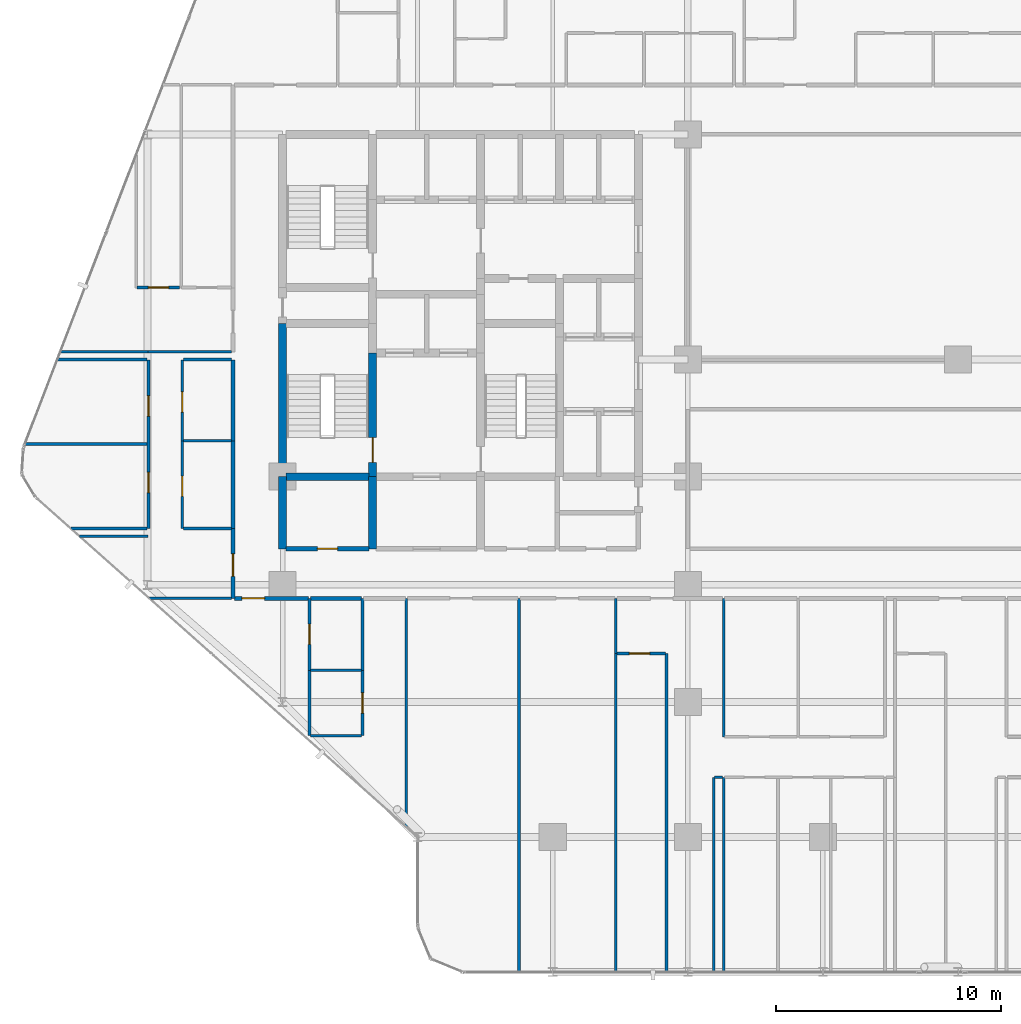
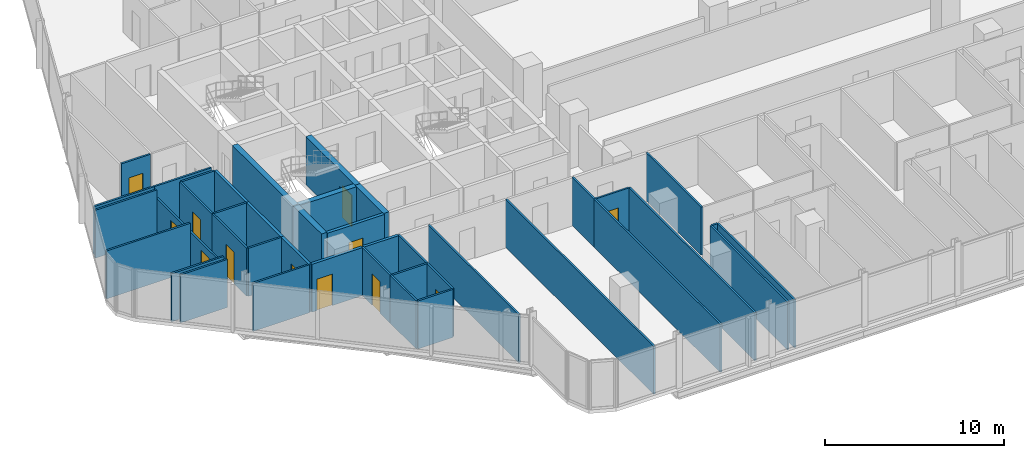
# One storey, part 26 of 34: 41 walls, 12 doors, 12 openings.
"""IFC4 building model written with IfcOpenShell, lengths in metres."""

from ifc_helpers import new_model, si_unit, direction, frame, frame_2d, origin, place, context, subcontext, project, spatial, rectangle, extrude, material, layer, layer_set, type_object, element, fill, save


model = new_model("IFC4")

# Units and contexts
model_context = context("Model", 3, precision=1e-05, world=origin(), true_north=direction((0.0, 1.0)))
body_context = subcontext(model_context, "Body", "Model", "MODEL_VIEW")
ifc_project = project(units=[si_unit("LENGTHUNIT", "METRE"), si_unit("AREAUNIT", "SQUARE_METRE"), si_unit("VOLUMEUNIT", "CUBIC_METRE"), si_unit("PLANEANGLEUNIT", "RADIAN"), si_unit("MASSUNIT", "GRAM", prefix="KILO")], contexts=[model_context])

# Site, building, storey
site_placement = place(None, origin())
site = spatial("IfcSite", under=ifc_project, at=site_placement, CompositionType="ELEMENT")
building_placement = place(site_placement, origin())
building = spatial("IfcBuilding", under=site, at=building_placement, Name="Keshet Zoharim Tower", CompositionType="ELEMENT")
storey_placement = place(building_placement, frame((0.0, 0.0, 77.5)))
storey = spatial("IfcBuildingStorey", under=building, at=storey_placement, Name="L18", CompositionType="ELEMENT", Elevation=77.5)

# Walls
ifc_material_1 = material(Name="Concrete C60/75", Category="concrete")
ifc_layer_1 = layer(ifc_material_1, 0.35009765625)
ifc_layer_set_1 = layer_set([ifc_layer_1], Name="Concrete C60/75")
wall_type_1 = type_object("IfcWallType", Name="WL-CORE-350", PredefinedType="SHEAR", material=ifc_layer_set_1)
wall_1_placement = place(storey_placement, frame((15.0, 19.5, 0.0), z_axis=(0.0, 0.0, 1.0), x_axis=(0.0, 1.0, 0.0)))
element("IfcWall", 1, at=wall_1_placement, inside=storey, type_object=wall_type_1, Name="L18 Core Shear Wall 011", PredefinedType="SHEAR", context=body_context, shape_type="SweptSolid", body=[
    extrude(rectangle(XDim=3.199951171875, YDim=0.35009765625, at=frame_2d((1.60009765625, 0.0))), origin(), (0.0, 0.0, 1.0), 3.280029296875),
])
wall_2_placement = place(storey_placement, frame((15.0, 22.699951171875, 0.0), z_axis=(0.0, 0.0, 1.0), x_axis=(0.0, 1.0, 0.0)))
element("IfcWall", 2, at=wall_2_placement, inside=storey, type_object=wall_type_1, Name="L18 Core Shear Wall 012", PredefinedType="SHEAR", context=body_context, shape_type="SweptSolid", body=[
    extrude(rectangle(XDim=6.800048828125, YDim=0.35009765625, at=frame_2d((3.39990234375, 0.0))), origin(), (0.0, 0.0, 1.0), 3.280029296875),
])
wall_3_placement = place(storey_placement, frame((19.0, 19.5, 0.0), z_axis=(0.0, 0.0, 1.0), x_axis=(0.0, 1.0, 0.0)))
element("IfcWall", 3, at=wall_3_placement, inside=storey, type_object=wall_type_1, Name="L18 Core Shear Wall 021", PredefinedType="SHEAR", context=body_context, shape_type="SweptSolid", body=[
    extrude(rectangle(XDim=3.199951171875, YDim=0.35009765625, at=frame_2d((1.60009765625, 0.0))), origin(), (0.0, 0.0, 1.0), 3.280029296875),
])

# Wall, opening, door
wall_4_placement = place(storey_placement, frame((19.0, 22.699951171875, 0.0), z_axis=(0.0, 0.0, 1.0), x_axis=(0.0, 1.0, 0.0)))
wall_4 = element("IfcWall", 4, at=wall_4_placement, inside=storey, type_object=wall_type_1, Name="L18 Core Shear Wall 022", PredefinedType="SHEAR", context=body_context, shape_type="SweptSolid", body=[
    extrude(rectangle(XDim=5.5, YDim=0.35009765625, at=frame_2d((2.75, 0.0))), origin(), (0.0, 0.0, 1.0), 3.280029296875),
])
opening_1_placement = place(wall_4_placement, frame((0.631103515625, 0.0, 0.0)))
opening_1 = element("IfcOpeningElement", 5, at=opening_1_placement, cuts=wall_4, Name="Opening D-F611", PredefinedType="OPENING", context=body_context, shape_type="SweptSolid", body=[
    extrude(rectangle(XDim=1.10009765625, YDim=2.14990234375, at=frame_2d((0.550048828125, 1.074951171875))), frame((0.0, 0.18505859375, 0.0), z_axis=(0.0, -1.0, 0.0), x_axis=(1.0, 0.0, 0.0)), (0.0, 0.0, 1.0), 0.3701171875),
])
ifc_material_2 = material(Name="Hardwood Timber", Category="wood")
door_type_1 = type_object("IfcDoorType", Name="DR-FD60-110", OperationType="NOTDEFINED", PredefinedType="DOOR", material=ifc_material_2)
door_1_placement = place(opening_1_placement, origin())
door_1 = element("IfcDoor", 6, at=door_1_placement, inside=storey, type_object=door_type_1, Name="L18 Exit Stair ST-01 Fire Door", OperationType="SINGLE_SWING_RIGHT", OverallHeight=2.14990234375, OverallWidth=1.10009765625, PredefinedType="DOOR", context=body_context, shape_type="SweptSolid", body=[
    extrude(rectangle(XDim=1.10009765625, YDim=2.14990234375, at=frame_2d((0.550048828125, 1.074951171875))), frame((0.0, 0.02490234375, 0.0), z_axis=(0.0, -1.0, 0.0), x_axis=(1.0, 0.0, 0.0)), (0.0, 0.0, 1.0), 0.050048828125),
])
fill(opening_1, door_1)

# Wall
wall_5_placement = place(storey_placement, frame((15.159912109375, 22.699951171875, 0.0), z_axis=(0.0, 0.0, 1.0), x_axis=(1.0, 0.0, 0.0)))
element("IfcWall", 7, at=wall_5_placement, inside=storey, type_object=wall_type_1, Name="L18 Core Shear Wall 172", PredefinedType="SHEAR", context=body_context, shape_type="SweptSolid", body=[
    extrude(rectangle(XDim=3.68017578125, YDim=0.35009765625, at=frame_2d((1.840087890625, 0.0))), origin(), (0.0, 0.0, 1.0), 3.280029296875),
])

# Wall, opening, door
ifc_material_3 = material(Name="Gypsum Plasterboard", Category="gypsum")
ifc_layer_2 = layer(ifc_material_3, 0.179931640625)
ifc_layer_set_2 = layer_set([ifc_layer_2], Name="Gypsum Plasterboard")
wall_type_2 = type_object("IfcWallType", Name="WL-CORR-180", PredefinedType="STANDARD", material=ifc_layer_set_2)
wall_6_placement = place(storey_placement, frame((12.800048828125, 17.300048828125, 0.0), z_axis=(0.0, 0.0, 1.0), x_axis=(0.0, 1.0, 0.0)))
wall_6 = element("IfcWall", 8, at=wall_6_placement, inside=storey, type_object=wall_type_2, Name="L18 Interior Wall 006", PredefinedType="STANDARD", context=body_context, shape_type="SweptSolid", body=[
    extrude(rectangle(XDim=3.099853515625, YDim=0.179931640625, at=frame_2d((1.5498046875, 0.0))), origin(), (0.0, 0.0, 1.0), 3.280029296875),
])
opening_2_placement = place(wall_6_placement, frame((0.97802734375, 0.0, 0.0)))
opening_2 = element("IfcOpeningElement", 9, at=opening_2_placement, cuts=wall_6, Name="Opening D-F310", PredefinedType="OPENING", context=body_context, shape_type="SweptSolid", body=[
    extrude(rectangle(XDim=1.0, YDim=2.14990234375, at=frame_2d((0.5, 1.074951171875))), frame((0.0, 0.10009765625, 0.0), z_axis=(0.0, -1.0, 0.0), x_axis=(1.0, 0.0, 0.0)), (0.0, 0.0, 1.0), 0.199951171875),
])
door_type_2 = type_object("IfcDoorType", Name="DR-FD30-100", OperationType="NOTDEFINED", PredefinedType="DOOR", material=ifc_material_2)
door_2_placement = place(opening_2_placement, origin())
door_2 = element("IfcDoor", 10, at=door_2_placement, inside=storey, type_object=door_type_2, Name="Apartment 1809 Entrance Door", OperationType="SINGLE_SWING_RIGHT", OverallHeight=2.14990234375, OverallWidth=1.0, PredefinedType="DOOR", context=body_context, shape_type="SweptSolid", body=[
    extrude(rectangle(XDim=1.0, YDim=2.14990234375, at=frame_2d((0.5, 1.074951171875))), frame((0.0, 0.02490234375, 0.0), z_axis=(0.0, -1.0, 0.0), x_axis=(1.0, 0.0, 0.0)), (0.0, 0.0, 1.0), 0.050048828125),
])
fill(opening_2, door_2)

# Walls
wall_7_placement = place(storey_placement, frame((12.800048828125, 20.39990234375, 0.0), z_axis=(0.0, 0.0, 1.0), x_axis=(0.0, 1.0, 0.0)))
element("IfcWall", 11, at=wall_7_placement, inside=storey, type_object=wall_type_2, Name="L18 Interior Wall 007", PredefinedType="STANDARD", context=body_context, shape_type="SweptSolid", body=[
    extrude(rectangle(XDim=3.89501953125, YDim=0.179931640625, at=frame_2d((1.947509765625, 0.0))), origin(), (0.0, 0.0, 1.0), 3.280029296875),
])
wall_8_placement = place(storey_placement, frame((12.800048828125, 24.294921875, 0.0), z_axis=(0.0, 0.0, 1.0), x_axis=(0.0, 1.0, 0.0)))
element("IfcWall", 12, at=wall_8_placement, inside=storey, type_object=wall_type_2, Name="L18 Interior Wall 008", PredefinedType="STANDARD", context=body_context, shape_type="SweptSolid", body=[
    extrude(rectangle(XDim=3.594970703125, YDim=0.179931640625, at=frame_2d((1.79736328125, 0.0))), origin(), (0.0, 0.0, 1.0), 3.280029296875),
])

# Wall, opening, door
wall_9_placement = place(storey_placement, frame((12.875, 17.300048828125, 0.0), z_axis=(0.0, 0.0, 1.0), x_axis=(1.0, 0.0, 0.0)))
wall_9 = element("IfcWall", 13, at=wall_9_placement, inside=storey, type_object=wall_type_2, Name="L18 Interior Wall 147", PredefinedType="STANDARD", context=body_context, shape_type="SweptSolid", body=[
    extrude(rectangle(XDim=3.280029296875, YDim=0.179931640625, at=frame_2d((1.64013671875, 0.0))), origin(), (0.0, 0.0, 1.0), 3.280029296875),
])
opening_3_placement = place(wall_9_placement, frame((0.325927734375, 0.0, 0.0)))
opening_3 = element("IfcOpeningElement", 14, at=opening_3_placement, cuts=wall_9, Name="Opening D-F310", PredefinedType="OPENING", context=body_context, shape_type="SweptSolid", body=[
    extrude(rectangle(XDim=1.0, YDim=2.14990234375, at=frame_2d((0.5, 1.074951171875))), frame((0.0, 0.10009765625, 0.0), z_axis=(0.0, -1.0, 0.0), x_axis=(1.0, 0.0, 0.0)), (0.0, 0.0, 1.0), 0.199951171875),
])
door_3_placement = place(opening_3_placement, origin())
door_3 = element("IfcDoor", 15, at=door_3_placement, inside=storey, type_object=door_type_2, Name="Apartment 1801 Entrance Door", OperationType="SINGLE_SWING_LEFT", OverallHeight=2.14990234375, OverallWidth=1.0, PredefinedType="DOOR", context=body_context, shape_type="SweptSolid", body=[
    extrude(rectangle(XDim=1.0, YDim=2.14990234375, at=frame_2d((0.5, 1.074951171875))), frame((0.0, 0.02490234375, 0.0), z_axis=(0.0, -1.0, 0.0), x_axis=(1.0, 0.0, 0.0)), (0.0, 0.0, 1.0), 0.050048828125),
])
fill(opening_3, door_3)

# Wall
wall_10_placement = place(storey_placement, frame((16.2451171875, 17.300048828125, 0.0), z_axis=(0.0, 0.0, 1.0), x_axis=(1.0, 0.0, 0.0)))
element("IfcWall", 16, at=wall_10_placement, inside=storey, type_object=wall_type_2, Name="L18 Interior Wall 148", PredefinedType="STANDARD", context=body_context, shape_type="SweptSolid", body=[
    extrude(rectangle(XDim=2.259765625, YDim=0.179931640625, at=frame_2d((1.1298828125, 0.0))), origin(), (0.0, 0.0, 1.0), 3.280029296875),
])

# Wall, opening, door
ifc_material_4 = material(Name="Concrete C50/60", Category="concrete")
ifc_layer_3 = layer(ifc_material_4, 0.199951171875)
ifc_layer_set_3 = layer_set([ifc_layer_3], Name="Concrete C50/60")
wall_type_3 = type_object("IfcWallType", Name="WL-FIRE-200", PredefinedType="STANDARD", material=ifc_layer_set_3)
wall_11_placement = place(storey_placement, frame((15.159912109375, 19.5, 0.0), z_axis=(0.0, 0.0, 1.0), x_axis=(1.0, 0.0, 0.0)))
wall_11 = element("IfcWall", 17, at=wall_11_placement, inside=storey, type_object=wall_type_3, Name="L18 Interior Wall 163", PredefinedType="STANDARD", context=body_context, shape_type="SweptSolid", body=[
    extrude(rectangle(XDim=3.68017578125, YDim=0.199951171875, at=frame_2d((1.840087890625, 0.0))), origin(), (0.0, 0.0, 1.0), 3.280029296875),
])
opening_4_placement = place(wall_11_placement, frame((1.389892578125, 0.0, 0.0)))
opening_4 = element("IfcOpeningElement", 18, at=opening_4_placement, cuts=wall_11, Name="Opening D-F690", PredefinedType="OPENING", context=body_context, shape_type="SweptSolid", body=[
    extrude(rectangle(XDim=0.89990234375, YDim=2.14990234375, at=frame_2d((0.449951171875, 1.074951171875))), frame((0.0, 0.10986328125, 0.0), z_axis=(0.0, -1.0, 0.0), x_axis=(1.0, 0.0, 0.0)), (0.0, 0.0, 1.0), 0.219970703125),
])
door_type_3 = type_object("IfcDoorType", Name="DR-FD60-090", OperationType="NOTDEFINED", PredefinedType="DOOR", material=ifc_material_2)
door_4_placement = place(opening_4_placement, origin())
door_4 = element("IfcDoor", 19, at=door_4_placement, inside=storey, type_object=door_type_3, Name="L18 Refuse Store Door", OperationType="SINGLE_SWING_LEFT", OverallHeight=2.14990234375, OverallWidth=0.89990234375, PredefinedType="DOOR", context=body_context, shape_type="SweptSolid", body=[
    extrude(rectangle(XDim=0.89990234375, YDim=2.14990234375, at=frame_2d((0.449951171875, 1.074951171875))), frame((0.0, 0.02490234375, 0.0), z_axis=(0.0, -1.0, 0.0), x_axis=(1.0, 0.0, 0.0)), (0.0, 0.0, 1.0), 0.050048828125),
])
fill(opening_4, door_4)

# Wall, openings, doors
ifc_layer_4 = layer(ifc_material_3, 0.1201171875)
ifc_layer_set_4 = layer_set([ifc_layer_4], Name="Gypsum Plasterboard")
wall_type_4 = type_object("IfcWallType", Name="WL-PART-120", PredefinedType="PARTITIONING", material=ifc_layer_set_4)
wall_12_placement = place(storey_placement, frame((9.050048828125, 20.39990234375, 0.0), z_axis=(0.0, 0.0, 1.0), x_axis=(0.0, 1.0, 0.0)))
wall_12 = element("IfcWall", 20, at=wall_12_placement, inside=storey, type_object=wall_type_4, Name="L18 Interior Wall 002", PredefinedType="PARTITIONING", context=body_context, shape_type="SweptSolid", body=[
    extrude(rectangle(XDim=7.489990234375, YDim=0.1201171875, at=frame_2d((3.7451171875, 0.0))), origin(), (0.0, 0.0, 1.0), 2.679931640625),
])
opening_5_placement = place(wall_12_placement, frame((1.596923828125, 0.0, 0.0)))
opening_5 = element("IfcOpeningElement", 21, at=opening_5_placement, cuts=wall_12, Name="Opening D-IN90", PredefinedType="OPENING", context=body_context, shape_type="SweptSolid", body=[
    extrude(rectangle(XDim=0.89990234375, YDim=2.14990234375, at=frame_2d((0.449951171875, 1.074951171875))), frame((0.0, 0.070068359375, 0.0), z_axis=(0.0, -1.0, 0.0), x_axis=(1.0, 0.0, 0.0)), (0.0, 0.0, 1.0), 0.14013671875),
])
opening_6_placement = place(wall_12_placement, frame((4.991943359375, 0.0, 0.0)))
opening_6 = element("IfcOpeningElement", 22, at=opening_6_placement, cuts=wall_12, Name="Opening D-IN90", PredefinedType="OPENING", context=body_context, shape_type="SweptSolid", body=[
    extrude(rectangle(XDim=0.89990234375, YDim=2.14990234375, at=frame_2d((0.449951171875, 1.074951171875))), frame((0.0, 0.070068359375, 0.0), z_axis=(0.0, -1.0, 0.0), x_axis=(1.0, 0.0, 0.0)), (0.0, 0.0, 1.0), 0.14013671875),
])
door_type_4 = type_object("IfcDoorType", Name="DR-INT-090", OperationType="NOTDEFINED", PredefinedType="DOOR", material=ifc_material_2)
door_5_placement = place(opening_5_placement, origin())
door_5 = element("IfcDoor", 23, at=door_5_placement, inside=storey, type_object=door_type_4, Name="Apartment 1809 Bedroom 1 Door", OperationType="SINGLE_SWING_RIGHT", OverallHeight=2.14990234375, OverallWidth=0.89990234375, PredefinedType="DOOR", context=body_context, shape_type="SweptSolid", body=[
    extrude(rectangle(XDim=0.89990234375, YDim=2.14990234375, at=frame_2d((0.449951171875, 1.074951171875))), frame((0.0, 0.02490234375, 0.0), z_axis=(0.0, -1.0, 0.0), x_axis=(1.0, 0.0, 0.0)), (0.0, 0.0, 1.0), 0.050048828125),
])
fill(opening_5, door_5)
door_6_placement = place(opening_6_placement, origin())
door_6 = element("IfcDoor", 24, at=door_6_placement, inside=storey, type_object=door_type_4, Name="Apartment 1809 Bedroom 2 Door", OperationType="SINGLE_SWING_LEFT", OverallHeight=2.14990234375, OverallWidth=0.89990234375, PredefinedType="DOOR", context=body_context, shape_type="SweptSolid", body=[
    extrude(rectangle(XDim=0.89990234375, YDim=2.14990234375, at=frame_2d((0.449951171875, 1.074951171875))), frame((0.0, 0.02490234375, 0.0), z_axis=(0.0, -1.0, 0.0), x_axis=(1.0, 0.0, 0.0)), (0.0, 0.0, 1.0), 0.050048828125),
])
fill(opening_6, door_6)

# Wall, opening, door
wall_13_placement = place(storey_placement, frame((10.550048828125, 20.39990234375, 0.0), z_axis=(0.0, 0.0, 1.0), x_axis=(0.0, 1.0, 0.0)))
wall_13 = element("IfcWall", 25, at=wall_13_placement, inside=storey, type_object=wall_type_4, Name="L18 Interior Wall 004", PredefinedType="PARTITIONING", context=body_context, shape_type="SweptSolid", body=[
    extrude(rectangle(XDim=3.89501953125, YDim=0.1201171875, at=frame_2d((1.947509765625, 0.0))), origin(), (0.0, 0.0, 1.0), 3.280029296875),
])
opening_7_placement = place(wall_13_placement, frame((1.424072265625, 0.0, 0.0)))
opening_7 = element("IfcOpeningElement", 26, at=opening_7_placement, cuts=wall_13, Name="Opening D-IN90", PredefinedType="OPENING", context=body_context, shape_type="SweptSolid", body=[
    extrude(rectangle(XDim=0.89990234375, YDim=2.14990234375, at=frame_2d((0.449951171875, 1.074951171875))), frame((0.0, 0.070068359375, 0.0), z_axis=(0.0, -1.0, 0.0), x_axis=(1.0, 0.0, 0.0)), (0.0, 0.0, 1.0), 0.14013671875),
])
door_7_placement = place(opening_7_placement, origin())
door_7 = element("IfcDoor", 27, at=door_7_placement, inside=storey, type_object=door_type_4, Name="Apartment 1809 Kitchen Door", OperationType="SINGLE_SWING_RIGHT", OverallHeight=2.14990234375, OverallWidth=0.89990234375, PredefinedType="DOOR", context=body_context, shape_type="SweptSolid", body=[
    extrude(rectangle(XDim=0.89990234375, YDim=2.14990234375, at=frame_2d((0.449951171875, 1.074951171875))), frame((0.0, 0.02490234375, 0.0), z_axis=(0.0, -1.0, 0.0), x_axis=(1.0, 0.0, 0.0)), (0.0, 0.0, 1.0), 0.050048828125),
])
fill(opening_7, door_7)

wall_14_placement = place(storey_placement, frame((16.199951171875, 14.10009765625, 0.0), z_axis=(0.0, 0.0, 1.0), x_axis=(0.0, 1.0, 0.0)))
wall_14 = element("IfcWall", 28, at=wall_14_placement, inside=storey, type_object=wall_type_4, Name="L18 Interior Wall 016", PredefinedType="PARTITIONING", context=body_context, shape_type="SweptSolid", body=[
    extrude(rectangle(XDim=3.199951171875, YDim=0.1201171875, at=frame_2d((1.60009765625, 0.0))), origin(), (0.0, 0.0, 1.0), 3.280029296875),
])
opening_8_placement = place(wall_14_placement, frame((1.14990234375, 0.0, 0.0)))
opening_8 = element("IfcOpeningElement", 29, at=opening_8_placement, cuts=wall_14, Name="Opening D-IN90", PredefinedType="OPENING", context=body_context, shape_type="SweptSolid", body=[
    extrude(rectangle(XDim=0.89990234375, YDim=2.14990234375, at=frame_2d((0.449951171875, 1.074951171875))), frame((0.0, 0.070068359375, 0.0), z_axis=(0.0, -1.0, 0.0), x_axis=(1.0, 0.0, 0.0)), (0.0, 0.0, 1.0), 0.14013671875),
])
door_8_placement = place(opening_8_placement, origin())
door_8 = element("IfcDoor", 30, at=door_8_placement, inside=storey, type_object=door_type_4, Name="Apartment 1801 Kitchenette Door", OperationType="SINGLE_SWING_LEFT", OverallHeight=2.14990234375, OverallWidth=0.89990234375, PredefinedType="DOOR", context=body_context, shape_type="SweptSolid", body=[
    extrude(rectangle(XDim=0.89990234375, YDim=2.14990234375, at=frame_2d((0.449951171875, 1.074951171875))), frame((0.0, 0.02490234375, 0.0), z_axis=(0.0, -1.0, 0.0), x_axis=(1.0, 0.0, 0.0)), (0.0, 0.0, 1.0), 0.050048828125),
])
fill(opening_8, door_8)

# Walls
wall_15_placement = place(storey_placement, frame((18.550048828125, 14.10009765625, 0.0), z_axis=(0.0, 0.0, 1.0), x_axis=(0.0, 1.0, 0.0)))
element("IfcWall", 31, at=wall_15_placement, inside=storey, type_object=wall_type_4, Name="L18 Interior Wall 020", PredefinedType="PARTITIONING", context=body_context, shape_type="SweptSolid", body=[
    extrude(rectangle(XDim=3.199951171875, YDim=0.1201171875, at=frame_2d((1.60009765625, 0.0))), origin(), (0.0, 0.0, 1.0), 3.280029296875),
])
wall_16_placement = place(storey_placement, frame((20.5, 7.154052734375, 0.0), z_axis=(0.0, 0.0, 1.0), x_axis=(0.0, 1.0, 0.0)))
element("IfcWall", 32, at=wall_16_placement, inside=storey, type_object=wall_type_4, Name="L18 Interior Wall 028", PredefinedType="PARTITIONING", context=body_context, shape_type="SweptSolid", body=[
    extrude(rectangle(XDim=10.14599609375, YDim=0.1201171875, at=frame_2d((5.072998046875, 0.0))), origin(), (0.0, 0.0, 1.0), 3.280029296875),
])
wall_17_placement = place(storey_placement, frame((25.5, 0.7099609375, 0.0), z_axis=(0.0, 0.0, 1.0), x_axis=(0.0, 1.0, 0.0)))
element("IfcWall", 33, at=wall_17_placement, inside=storey, type_object=wall_type_4, Name="L18 Interior Wall 041", PredefinedType="PARTITIONING", context=body_context, shape_type="SweptSolid", body=[
    extrude(rectangle(XDim=16.590087890625, YDim=0.1201171875, at=frame_2d((8.294921875, 0.0))), origin(), (0.0, 0.0, 1.0), 3.280029296875),
])
wall_18_placement = place(storey_placement, frame((29.800048828125, 0.7099609375, 0.0), z_axis=(0.0, 0.0, 1.0), x_axis=(0.0, 1.0, 0.0)))
element("IfcWall", 34, at=wall_18_placement, inside=storey, type_object=wall_type_4, Name="L18 Interior Wall 056", PredefinedType="PARTITIONING", context=body_context, shape_type="SweptSolid", body=[
    extrude(rectangle(XDim=14.14013671875, YDim=0.1201171875, at=frame_2d((7.070068359375, 0.0))), origin(), (0.0, 0.0, 1.0), 3.280029296875),
])
wall_19_placement = place(storey_placement, frame((29.800048828125, 14.85009765625, 0.0), z_axis=(0.0, 0.0, 1.0), x_axis=(0.0, 1.0, 0.0)))
element("IfcWall", 35, at=wall_19_placement, inside=storey, type_object=wall_type_4, Name="L18 Interior Wall 057", PredefinedType="PARTITIONING", context=body_context, shape_type="SweptSolid", body=[
    extrude(rectangle(XDim=2.449951171875, YDim=0.1201171875, at=frame_2d((1.22509765625, 0.0))), origin(), (0.0, 0.0, 1.0), 3.280029296875),
])
wall_20_placement = place(storey_placement, frame((32.050048828125, 0.7099609375, 0.0), z_axis=(0.0, 0.0, 1.0), x_axis=(0.0, 1.0, 0.0)))
element("IfcWall", 36, at=wall_20_placement, inside=storey, type_object=wall_type_4, Name="L18 Interior Wall 067", PredefinedType="PARTITIONING", context=body_context, shape_type="SweptSolid", body=[
    extrude(rectangle(XDim=14.14013671875, YDim=0.1201171875, at=frame_2d((7.070068359375, 0.0))), origin(), (0.0, 0.0, 1.0), 3.280029296875),
])
for number, where, z_axis, x_axis, name in (
    (37, (34.14990234375, 0.7099609375, 0.0), (0.0, 0.0, 1.0), (0.0, 1.0, 0.0), "L18 Interior Wall 071"),
    (38, (34.60009765625, 0.7099609375, 0.0), (0.0, 0.0, 1.0), (0.0, 1.0, 0.0), "L18 Interior Wall 072"),
):
    element("IfcWall", number, at=place(storey_placement, frame(where, z_axis=z_axis, x_axis=x_axis)), inside=storey, type_object=wall_type_4, Name=name, PredefinedType="PARTITIONING", context=body_context, shape_type="SweptSolid", body=[
        extrude(rectangle(XDim=8.64013671875, YDim=0.1201171875, at=frame_2d((4.320068359375, 0.0))), origin(), (0.0, 0.0, 1.0), 3.280029296875),
    ])
wall_21_placement = place(storey_placement, frame((34.60009765625, 11.14990234375, 0.0), z_axis=(0.0, 0.0, 1.0), x_axis=(0.0, 1.0, 0.0)))
element("IfcWall", 39, at=wall_21_placement, inside=storey, type_object=wall_type_4, Name="L18 Interior Wall 073", PredefinedType="PARTITIONING", context=body_context, shape_type="SweptSolid", body=[
    extrude(rectangle(XDim=6.150146484375, YDim=0.1201171875, at=frame_2d((3.0751953125, 0.0))), origin(), (0.0, 0.0, 1.0), 3.280029296875),
])
wall_22_placement = place(storey_placement, frame((34.18505859375, 9.35009765625, 0.0), z_axis=(0.0, 0.0, 1.0), x_axis=(1.0, 0.0, 0.0)))
element("IfcWall", 40, at=wall_22_placement, inside=storey, type_object=wall_type_4, Name="L18 Interior Wall 126", PredefinedType="PARTITIONING", context=body_context, shape_type="SweptSolid", body=[
    extrude(rectangle(XDim=0.35986328125, YDim=0.1201171875, at=frame_2d((0.179931640625, 0.0))), origin(), (0.0, 0.0, 1.0), 3.280029296875),
])

# Wall, opening, door
wall_23_placement = place(storey_placement, frame((29.844970703125, 14.85009765625, 0.0), z_axis=(0.0, 0.0, 1.0), x_axis=(1.0, 0.0, 0.0)))
wall_23 = element("IfcWall", 41, at=wall_23_placement, inside=storey, type_object=wall_type_4, Name="L18 Interior Wall 143", PredefinedType="PARTITIONING", context=body_context, shape_type="SweptSolid", body=[
    extrude(rectangle(XDim=2.159912109375, YDim=0.1201171875, at=frame_2d((1.080078125, 0.0))), origin(), (0.0, 0.0, 1.0), 3.280029296875),
])
opening_9_placement = place(wall_23_placement, frame((0.552978515625, 0.0, 0.0)))
opening_9 = element("IfcOpeningElement", 42, at=opening_9_placement, cuts=wall_23, Name="Opening D-IN90", PredefinedType="OPENING", context=body_context, shape_type="SweptSolid", body=[
    extrude(rectangle(XDim=0.89990234375, YDim=2.14990234375, at=frame_2d((0.449951171875, 1.074951171875))), frame((0.0, 0.070068359375, 0.0), z_axis=(0.0, -1.0, 0.0), x_axis=(1.0, 0.0, 0.0)), (0.0, 0.0, 1.0), 0.14013671875),
])
door_9_placement = place(opening_9_placement, origin())
door_9 = element("IfcDoor", 43, at=door_9_placement, inside=storey, type_object=door_type_4, Name="Apartment 1802 Formal Dining Room Door", OperationType="SINGLE_SWING_RIGHT", OverallHeight=2.14990234375, OverallWidth=0.89990234375, PredefinedType="DOOR", context=body_context, shape_type="SweptSolid", body=[
    extrude(rectangle(XDim=0.89990234375, YDim=2.14990234375, at=frame_2d((0.449951171875, 1.074951171875))), frame((0.0, 0.02490234375, 0.0), z_axis=(0.0, -1.0, 0.0), x_axis=(1.0, 0.0, 0.0)), (0.0, 0.0, 1.0), 0.050048828125),
])
fill(opening_9, door_9)

# Walls
wall_24_placement = place(storey_placement, frame((9.0849609375, 17.300048828125, 0.0), z_axis=(0.0, 0.0, 1.0), x_axis=(1.0, 0.0, 0.0)))
element("IfcWall", 44, at=wall_24_placement, inside=storey, type_object=wall_type_4, Name="L18 Interior Wall 146", PredefinedType="PARTITIONING", context=body_context, shape_type="SweptSolid", body=[
    extrude(rectangle(XDim=3.64013671875, YDim=0.1201171875, at=frame_2d((1.820068359375, 0.0))), origin(), (0.0, 0.0, 1.0), 3.280029296875),
])
wall_25_placement = place(storey_placement, frame((5.990966796875, 20.050048828125, 0.0), z_axis=(0.0, 0.0, 1.0), x_axis=(1.0, 0.0, 0.0)))
element("IfcWall", 45, at=wall_25_placement, inside=storey, type_object=wall_type_4, Name="L18 Interior Wall 168", PredefinedType="PARTITIONING", context=body_context, shape_type="SweptSolid", body=[
    extrude(rectangle(XDim=3.0390625, YDim=0.1201171875, at=frame_2d((1.51953125, 0.0))), origin(), (0.0, 0.0, 1.0), 3.280029296875),
])
wall_26_placement = place(storey_placement, frame((5.597900390625, 20.39990234375, 0.0), z_axis=(0.0, 0.0, 1.0), x_axis=(1.0, 0.0, 0.0)))
element("IfcWall", 46, at=wall_26_placement, inside=storey, type_object=wall_type_4, Name="L18 Interior Wall 169", PredefinedType="PARTITIONING", context=body_context, shape_type="SweptSolid", body=[
    extrude(rectangle(XDim=3.38720703125, YDim=0.1201171875, at=frame_2d((1.693603515625, 0.0))), origin(), (0.0, 0.0, 1.0), 3.280029296875),
])
wall_27_placement = place(storey_placement, frame((10.594970703125, 20.39990234375, 0.0), z_axis=(0.0, 0.0, 1.0), x_axis=(1.0, 0.0, 0.0)))
element("IfcWall", 47, at=wall_27_placement, inside=storey, type_object=wall_type_4, Name="L18 Interior Wall 170", PredefinedType="PARTITIONING", context=body_context, shape_type="SweptSolid", body=[
    extrude(rectangle(XDim=2.130126953125, YDim=0.1201171875, at=frame_2d((1.06494140625, 0.0))), origin(), (0.0, 0.0, 1.0), 3.280029296875),
])
wall_28_placement = place(storey_placement, frame((3.56689453125, 24.14990234375, 0.0), z_axis=(0.0, 0.0, 1.0), x_axis=(1.0, 0.0, 0.0)))
element("IfcWall", 48, at=wall_28_placement, inside=storey, type_object=wall_type_4, Name="L18 Interior Wall 176", PredefinedType="PARTITIONING", context=body_context, shape_type="SweptSolid", body=[
    extrude(rectangle(XDim=5.418212890625, YDim=0.1201171875, at=frame_2d((2.708984375, 0.0))), origin(), (0.0, 0.0, 1.0), 3.280029296875),
])
wall_29_placement = place(storey_placement, frame((5.010009765625, 27.89990234375, 0.0), z_axis=(0.0, 0.0, 1.0), x_axis=(1.0, 0.0, 0.0)))
element("IfcWall", 49, at=wall_29_placement, inside=storey, type_object=wall_type_4, Name="L18 Interior Wall 180", PredefinedType="PARTITIONING", context=body_context, shape_type="SweptSolid", body=[
    extrude(rectangle(XDim=3.97509765625, YDim=0.1201171875, at=frame_2d((1.987548828125, 0.0))), origin(), (0.0, 0.0, 1.0), 3.280029296875),
])
wall_30_placement = place(storey_placement, frame((5.14404296875, 28.25, 0.0), z_axis=(0.0, 0.0, 1.0), x_axis=(1.0, 0.0, 0.0)))
element("IfcWall", 50, at=wall_30_placement, inside=storey, type_object=wall_type_4, Name="L18 Interior Wall 184", PredefinedType="PARTITIONING", context=body_context, shape_type="SweptSolid", body=[
    extrude(rectangle(XDim=3.885986328125, YDim=0.1201171875, at=frame_2d((1.94287109375, 0.0))), origin(), (0.0, 0.0, 1.0), 3.280029296875),
])
wall_31_placement = place(storey_placement, frame((9.030029296875, 28.25, 0.0), z_axis=(0.0, 0.0, 1.0), x_axis=(1.0, 0.0, 0.0)))
element("IfcWall", 51, at=wall_31_placement, inside=storey, type_object=wall_type_4, Name="L18 Interior Wall 185", PredefinedType="PARTITIONING", context=body_context, shape_type="SweptSolid", body=[
    extrude(rectangle(XDim=3.695068359375, YDim=0.1201171875, at=frame_2d((1.84765625, 0.0))), origin(), (0.0, 0.0, 1.0), 3.280029296875),
])

# Wall, opening, door
wall_32_placement = place(storey_placement, frame((8.544921875, 31.10009765625, 0.0), z_axis=(0.0, 0.0, 1.0), x_axis=(1.0, 0.0, 0.0)))
wall_32 = element("IfcWall", 52, at=wall_32_placement, inside=storey, type_object=wall_type_4, Name="L18 Interior Wall 190", PredefinedType="PARTITIONING", context=body_context, shape_type="SweptSolid", body=[
    extrude(rectangle(XDim=1.88818359375, YDim=0.1201171875, at=frame_2d((0.944091796875, 0.0))), origin(), (0.0, 0.0, 1.0), 3.280029296875),
])
opening_10_placement = place(wall_32_placement, frame((0.493896484375, 0.0, 0.0)))
opening_10 = element("IfcOpeningElement", 53, at=opening_10_placement, cuts=wall_32, Name="Opening D-IN90", PredefinedType="OPENING", context=body_context, shape_type="SweptSolid", body=[
    extrude(rectangle(XDim=0.89990234375, YDim=2.14990234375, at=frame_2d((0.449951171875, 1.074951171875))), frame((0.0, 0.070068359375, 0.0), z_axis=(0.0, -1.0, 0.0), x_axis=(1.0, 0.0, 0.0)), (0.0, 0.0, 1.0), 0.14013671875),
])
door_10_placement = place(opening_10_placement, origin())
door_10 = element("IfcDoor", 54, at=door_10_placement, inside=storey, type_object=door_type_4, Name="Apartment 1810 Kitchen Door", OperationType="SINGLE_SWING_RIGHT", OverallHeight=2.14990234375, OverallWidth=0.89990234375, PredefinedType="DOOR", context=body_context, shape_type="SweptSolid", body=[
    extrude(rectangle(XDim=0.89990234375, YDim=2.14990234375, at=frame_2d((0.449951171875, 1.074951171875))), frame((0.0, 0.02490234375, 0.0), z_axis=(0.0, -1.0, 0.0), x_axis=(1.0, 0.0, 0.0)), (0.0, 0.0, 1.0), 0.050048828125),
])
fill(opening_10, door_10)

ifc_layer_5 = layer(ifc_material_3, 0.1201171875)
ifc_layer_set_5 = layer_set([ifc_layer_5], Name="Gypsum Plasterboard")
wall_type_5 = type_object("IfcWallType", Name="WL-WET-120", PredefinedType="PARTITIONING", material=ifc_layer_set_5)
wall_33_placement = place(storey_placement, frame((10.550048828125, 24.294921875, 0.0), z_axis=(0.0, 0.0, 1.0), x_axis=(0.0, 1.0, 0.0)))
wall_33 = element("IfcWall", 55, at=wall_33_placement, inside=storey, type_object=wall_type_5, Name="L18 Interior Wall 005", PredefinedType="PARTITIONING", context=body_context, shape_type="SweptSolid", body=[
    extrude(rectangle(XDim=3.594970703125, YDim=0.1201171875, at=frame_2d((1.79736328125, 0.0))), origin(), (0.0, 0.0, 1.0), 3.280029296875),
])
opening_11_placement = place(wall_33_placement, frame((1.27490234375, 0.0, 0.0)))
opening_11 = element("IfcOpeningElement", 56, at=opening_11_placement, cuts=wall_33, Name="Opening D-WT90", PredefinedType="OPENING", context=body_context, shape_type="SweptSolid", body=[
    extrude(rectangle(XDim=0.89990234375, YDim=2.10009765625, at=frame_2d((0.449951171875, 1.050048828125))), frame((0.0, 0.070068359375, 0.0), z_axis=(0.0, -1.0, 0.0), x_axis=(1.0, 0.0, 0.0)), (0.0, 0.0, 1.0), 0.14013671875),
])
door_type_5 = type_object("IfcDoorType", Name="DR-WET-090", OperationType="NOTDEFINED", PredefinedType="DOOR", material=ifc_material_2)
door_11_placement = place(opening_11_placement, origin())
door_11 = element("IfcDoor", 57, at=door_11_placement, inside=storey, type_object=door_type_5, Name="Apartment 1809 Bathroom Door", OperationType="SINGLE_SWING_LEFT", OverallHeight=2.10009765625, OverallWidth=0.89990234375, PredefinedType="DOOR", context=body_context, shape_type="SweptSolid", body=[
    extrude(rectangle(XDim=0.89990234375, YDim=2.10009765625, at=frame_2d((0.449951171875, 1.050048828125))), frame((0.0, 0.02490234375, 0.0), z_axis=(0.0, -1.0, 0.0), x_axis=(1.0, 0.0, 0.0)), (0.0, 0.0, 1.0), 0.050048828125),
])
fill(opening_11, door_11)

# Wall
wall_34_placement = place(storey_placement, frame((16.199951171875, 11.199951171875, 0.0), z_axis=(0.0, 0.0, 1.0), x_axis=(0.0, 1.0, 0.0)))
element("IfcWall", 58, at=wall_34_placement, inside=storey, type_object=wall_type_5, Name="L18 Interior Wall 015", PredefinedType="PARTITIONING", context=body_context, shape_type="SweptSolid", body=[
    extrude(rectangle(XDim=2.900146484375, YDim=0.1201171875, at=frame_2d((1.4501953125, 0.0))), origin(), (0.0, 0.0, 1.0), 3.280029296875),
])

# Wall, opening, door
wall_35_placement = place(storey_placement, frame((18.550048828125, 11.199951171875, 0.0), z_axis=(0.0, 0.0, 1.0), x_axis=(0.0, 1.0, 0.0)))
wall_35 = element("IfcWall", 59, at=wall_35_placement, inside=storey, type_object=wall_type_5, Name="L18 Interior Wall 019", PredefinedType="PARTITIONING", context=body_context, shape_type="SweptSolid", body=[
    extrude(rectangle(XDim=2.900146484375, YDim=0.1201171875, at=frame_2d((1.4501953125, 0.0))), origin(), (0.0, 0.0, 1.0), 3.280029296875),
])
opening_12_placement = place(wall_35_placement, frame((1.0, 0.0, 0.0)))
opening_12 = element("IfcOpeningElement", 60, at=opening_12_placement, cuts=wall_35, Name="Opening D-WT90", PredefinedType="OPENING", context=body_context, shape_type="SweptSolid", body=[
    extrude(rectangle(XDim=0.89990234375, YDim=2.10009765625, at=frame_2d((0.449951171875, 1.050048828125))), frame((0.0, 0.070068359375, 0.0), z_axis=(0.0, -1.0, 0.0), x_axis=(1.0, 0.0, 0.0)), (0.0, 0.0, 1.0), 0.14013671875),
])
door_12_placement = place(opening_12_placement, origin())
door_12 = element("IfcDoor", 61, at=door_12_placement, inside=storey, type_object=door_type_5, Name="Apartment 1801 Bathroom Door", OperationType="SINGLE_SWING_LEFT", OverallHeight=2.10009765625, OverallWidth=0.89990234375, PredefinedType="DOOR", context=body_context, shape_type="SweptSolid", body=[
    extrude(rectangle(XDim=0.89990234375, YDim=2.10009765625, at=frame_2d((0.449951171875, 1.050048828125))), frame((0.0, 0.02490234375, 0.0), z_axis=(0.0, -1.0, 0.0), x_axis=(1.0, 0.0, 0.0)), (0.0, 0.0, 1.0), 0.050048828125),
])
fill(opening_12, door_12)

# Walls
for number, where, z_axis, x_axis, name in (
    (62, (16.2451171875, 11.199951171875, 0.0), (0.0, 0.0, 1.0), (1.0, 0.0, 0.0), "L18 Interior Wall 141"),
    (63, (16.2451171875, 14.10009765625, 0.0), (0.0, 0.0, 1.0), (1.0, 0.0, 0.0), "L18 Interior Wall 142"),
):
    element("IfcWall", number, at=place(storey_placement, frame(where, z_axis=z_axis, x_axis=x_axis)), inside=storey, type_object=wall_type_5, Name=name, PredefinedType="PARTITIONING", context=body_context, shape_type="SweptSolid", body=[
        extrude(rectangle(XDim=2.259765625, YDim=0.1201171875, at=frame_2d((1.1298828125, 0.0))), origin(), (0.0, 0.0, 1.0), 3.280029296875),
    ])
for number, where, z_axis, x_axis, name in (
    (64, (10.594970703125, 24.300048828125, 0.0), (0.0, 0.0, 1.0), (1.0, 0.0, 0.0), "L18 Interior Wall 177"),
    (65, (10.594970703125, 27.89990234375, 0.0), (0.0, 0.0, 1.0), (1.0, 0.0, 0.0), "L18 Interior Wall 181"),
):
    element("IfcWall", number, at=place(storey_placement, frame(where, z_axis=z_axis, x_axis=x_axis)), inside=storey, type_object=wall_type_5, Name=name, PredefinedType="PARTITIONING", context=body_context, shape_type="SweptSolid", body=[
        extrude(rectangle(XDim=2.130126953125, YDim=0.1201171875, at=frame_2d((1.06494140625, 0.0))), origin(), (0.0, 0.0, 1.0), 3.280029296875),
    ])

save(model, "model.ifc")
